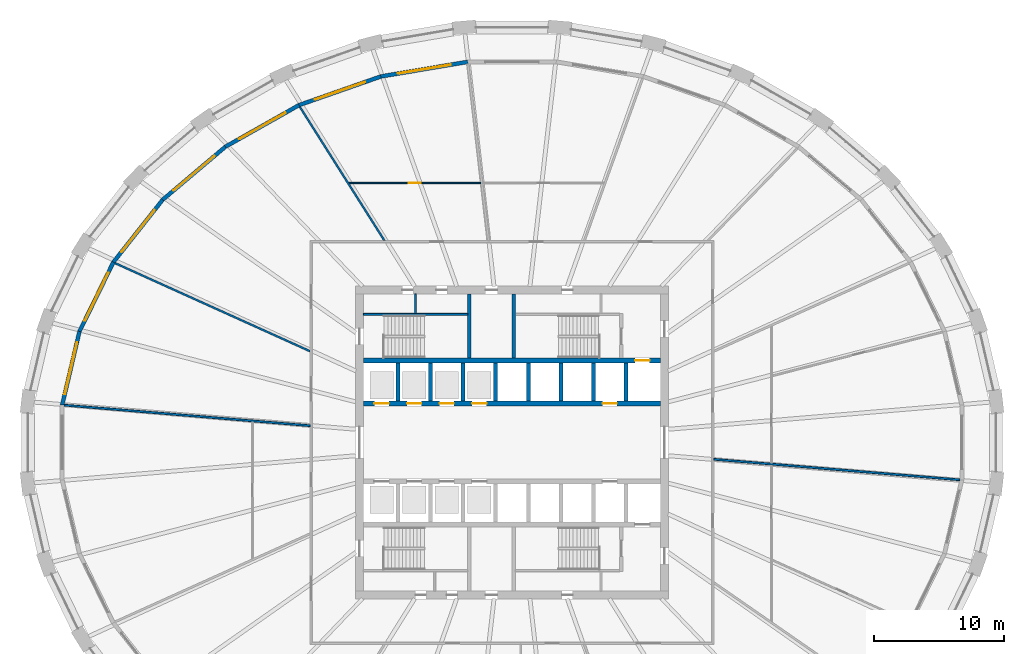
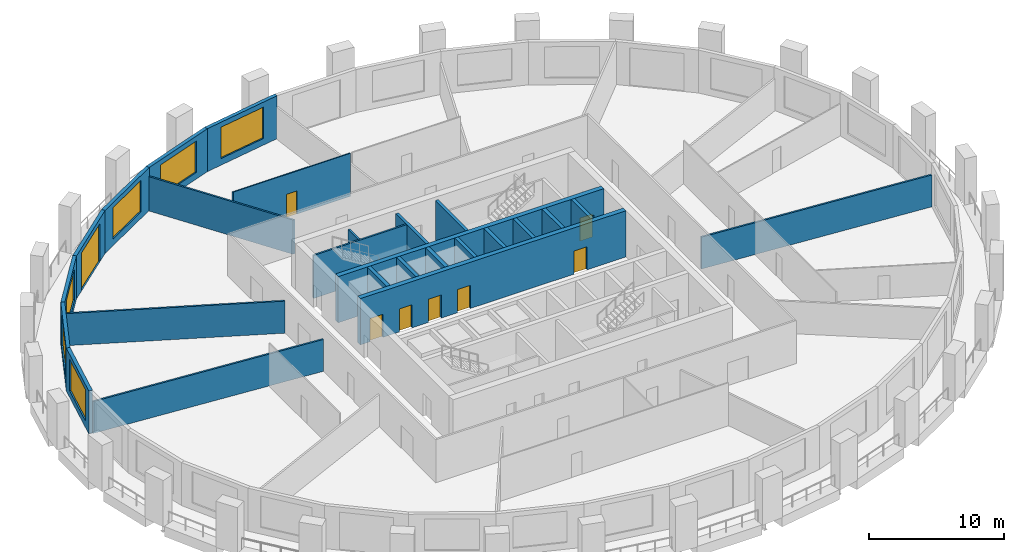
# One storey, part 5 of 10: 26 walls, 8 doors, 6 windows, 14 openings.
"""IFC4 building model written with IfcOpenShell, lengths in metres."""

from ifc_helpers import new_model, si_unit, direction, frame, frame_2d, origin, place, context, subcontext, project, spatial, polyline, rectangle, outline, extrude, material, layer, layer_set, type_object, element, fill, save


model = new_model("IFC4")

# Units and contexts
model_context = context("Model", 3, precision=1e-05, world=origin(), true_north=direction((0.0, 1.0)))
body_context = subcontext(model_context, "Body", "Model", "MODEL_VIEW")
ifc_project = project(units=[si_unit("LENGTHUNIT", "METRE"), si_unit("AREAUNIT", "SQUARE_METRE"), si_unit("VOLUMEUNIT", "CUBIC_METRE"), si_unit("PLANEANGLEUNIT", "RADIAN"), si_unit("MASSUNIT", "GRAM", prefix="KILO")], contexts=[model_context])

# Site, building, storey
site_placement = place(None, origin())
site = spatial("IfcSite", under=ifc_project, at=site_placement, CompositionType="ELEMENT")
building_placement = place(site_placement, origin())
building = spatial("IfcBuilding", under=site, at=building_placement, Name="Halqa Exchange Tower", CompositionType="ELEMENT")
storey_placement = place(building_placement, frame((0.0, 0.0, 52.89990234375)))
storey = spatial("IfcBuildingStorey", under=building, at=storey_placement, Name="L11", CompositionType="ELEMENT", Elevation=52.89990234375)

# Walls
ifc_material_1 = material(Name="Fire-rated gypsum board")
ifc_layer_1 = layer(ifc_material_1, 0.14990234375)
ifc_layer_set_1 = layer_set([ifc_layer_1], Name="Fire-rated gypsum board")
wall_type_1 = type_object("IfcWallType", Name="Fire partition EI 60 150", PredefinedType="PARTITIONING", material=ifc_layer_set_1)
wall_1_placement = place(storey_placement, frame((-34.343017578125, 2.864501953125, 0.0), z_axis=(0.0, 0.0, 1.0), x_axis=(0.996520554602, -0.083347371018, 0.0)))
element("IfcWall", 1, at=wall_1_placement, inside=storey, type_object=wall_type_1, Name="L11-PWL-001", PredefinedType="PARTITIONING", context=body_context, shape_type="SweptSolid", body=[
    extrude(outline(polyline([(0.0, -0.074951171875), (1.818115234375, -0.074951171875), (3.63623046875, -0.074951171875), (5.45458984375, -0.074951171875), (7.272705078125, -0.074951171875), (9.0908203125, -0.074951171875), (10.908935546875, -0.074951171875), (12.72705078125, -0.074951171875), (14.54541015625, -0.074951171875), (14.5498046875, -0.074462890625), (14.5498046875, -0.074951171875), (16.013427734375, -0.074951171875), (17.476806640625, -0.074951171875), (18.940185546875, -0.074951171875), (18.927734375, 0.074951171875), (17.035400390625, 0.074951171875), (15.143310546875, 0.074951171875), (13.2509765625, 0.074951171875), (11.35888671875, 0.074951171875), (9.466552734375, 0.074951171875), (7.574462890625, 0.074951171875), (5.68212890625, 0.074951171875), (3.7900390625, 0.074951171875), (1.897705078125, 0.074951171875), (0.005615234375, 0.074951171875), (0.0, 0.03759765625), (0.0, -0.074951171875)])), origin(), (0.0, 0.0, 1.0), 2.89208984375),
])
wall_2_placement = place(storey_placement, frame((-16.27294921875, 25.74169921875, 0.0), z_axis=(0.0, 0.0, 1.0), x_axis=(0.534654841392, -0.845070529942, 0.0)))
element("IfcWall", 2, at=wall_2_placement, inside=storey, type_object=wall_type_1, Name="L11-PWL-005", PredefinedType="PARTITIONING", context=body_context, shape_type="SweptSolid", body=[
    extrude(outline(polyline([(0.0, -0.074951171875), (1.728759765625, -0.074951171875), (3.45751953125, -0.074951171875), (5.186279296875, -0.074951171875), (6.9150390625, -0.074951171875), (8.64404296875, -0.074951171875), (10.372802734375, -0.074951171875), (12.1015625, -0.074951171875), (12.1962890625, 0.074951171875), (12.1962890625, 0.074951171875), (10.470703125, 0.074951171875), (8.744873046875, 0.074951171875), (7.019287109375, 0.074951171875), (7.017578125, 0.072265625), (7.01318359375, 0.074951171875), (5.26513671875, 0.074951171875), (3.516845703125, 0.074951171875), (1.768798828125, 0.074951171875), (0.020751953125, 0.074951171875), (0.003662109375, 0.00048828125), (0.0, -0.071044921875), (0.0, -0.074951171875)])), origin(), (0.0, 0.0, 1.0), 3.110107421875),
])
wall_3_placement = place(storey_placement, frame((-15.444091796875, 6.97998046875, 0.0), z_axis=(0.0, 0.0, 1.0), x_axis=(-0.911343853748, 0.411645940385, 0.0)))
element("IfcWall", 3, at=wall_3_placement, inside=storey, type_object=wall_type_1, Name="L11-PWL-008", PredefinedType="PARTITIONING", context=body_context, shape_type="SweptSolid", body=[
    extrude(outline(polyline([(0.06787109375, -0.074951171875), (1.88671875, -0.074951171875), (3.705810546875, -0.074951171875), (5.52490234375, -0.074951171875), (7.34375, -0.074951171875), (9.162841796875, -0.074951171875), (10.98193359375, -0.074951171875), (12.80078125, -0.074951171875), (14.619873046875, -0.074951171875), (16.43896484375, -0.074951171875), (16.45654296875, -0.003662109375), (16.458740234375, 0.064208984375), (16.458740234375, 0.074951171875), (14.6298828125, 0.074951171875), (12.80126953125, 0.074951171875), (10.972412109375, 0.074951171875), (9.143798828125, 0.074951171875), (7.31494140625, 0.074951171875), (5.486328125, 0.074951171875), (3.657470703125, 0.074951171875), (1.828857421875, 0.074951171875), (0.0, 0.074951171875), (0.06787109375, -0.074951171875)])), origin(), (0.0, 0.0, 1.0), 2.91015625),
])
wall_4_placement = place(storey_placement, frame((15.46875, -1.285888671875, 0.0), z_axis=(0.0, 0.0, 1.0), x_axis=(0.996520554602, -0.083347371018, 0.0)))
element("IfcWall", 4, at=wall_4_placement, inside=storey, type_object=wall_type_1, Name="L11-PWL-020", PredefinedType="PARTITIONING", context=body_context, shape_type="SweptSolid", body=[
    extrude(outline(polyline([(0.012451171875, -0.074951171875), (1.505859375, -0.074951171875), (2.9990234375, -0.074951171875), (4.4921875, -0.074951171875), (4.503173828125, -0.073974609375), (4.503173828125, -0.074951171875), (6.30712890625, -0.074951171875), (8.111083984375, -0.074951171875), (9.9150390625, -0.074951171875), (11.718994140625, -0.074951171875), (13.52294921875, -0.074951171875), (15.32666015625, -0.074951171875), (17.130615234375, -0.074951171875), (18.9345703125, -0.074951171875), (18.940185546875, -0.03759765625), (18.940185546875, 0.074951171875), (17.1220703125, 0.074951171875), (15.303955078125, 0.074951171875), (13.485595703125, 0.074951171875), (11.66748046875, 0.074951171875), (9.849365234375, 0.074951171875), (8.03125, 0.074951171875), (6.213134765625, 0.074951171875), (4.394775390625, 0.074951171875), (4.390380859375, 0.074462890625), (4.390380859375, 0.074951171875), (2.9267578125, 0.074951171875), (1.46337890625, 0.074951171875), (0.0, 0.074951171875), (0.012451171875, -0.074951171875)])), origin(), (0.0, 0.0, 1.0), 2.89208984375),
])

# Wall, opening, door
ifc_material_2 = material(Name="Gypsum board")
ifc_layer_2 = layer(ifc_material_2, 0.10009765625)
ifc_layer_set_2 = layer_set([ifc_layer_2], Name="Gypsum board")
wall_type_2 = type_object("IfcWallType", Name="Partition 100 gypsum", PredefinedType="PARTITIONING", material=ifc_layer_set_2)
wall_5_placement = place(storey_placement, frame((-12.51953125, 19.89990234375, 0.0), z_axis=(0.0, 0.0, 1.0), x_axis=(1.0, 0.0, 0.0)))
wall_5 = element("IfcWall", 5, at=wall_5_placement, inside=storey, type_object=wall_type_2, Name="L11-PWL-011", PredefinedType="PARTITIONING", context=body_context, shape_type="SweptSolid", body=[
    extrude(outline(polyline([(10.133544921875, -0.050048828125), (10.133544921875, -0.049072265625), (10.1220703125, 0.050048828125), (8.43505859375, 0.050048828125), (6.748046875, 0.050048828125), (5.06103515625, 0.050048828125), (3.3740234375, 0.050048828125), (1.68701171875, 0.050048828125), (0.0, 0.050048828125), (0.0, 0.049560546875), (0.06298828125, -0.050048828125), (1.741455078125, -0.050048828125), (3.419677734375, -0.050048828125), (5.09814453125, -0.050048828125), (6.776611328125, -0.050048828125), (8.455078125, -0.050048828125), (10.133544921875, -0.050048828125)])), origin(), (0.0, 0.0, 1.0), 3.900146484375),
])
opening_1_placement = place(wall_5_placement, frame((4.619384765625, 0.0, 0.0)))
opening_1 = element("IfcOpeningElement", 6, at=opening_1_placement, cuts=wall_5, Name="Opening 03-15", PredefinedType="OPENING", context=body_context, shape_type="SweptSolid", body=[
    extrude(rectangle(XDim=0.89990234375, YDim=2.10009765625, at=frame_2d((0.449951171875, 1.050048828125))), frame((0.0, 0.06201171875, 0.0), z_axis=(0.0, -1.0, 0.0), x_axis=(1.0, 0.0, 0.0)), (0.0, 0.0, 1.0), 0.1240234375),
])
ifc_material_3 = material(Name="Timber door leaf", Category="wood")
door_type_1 = type_object("IfcDoorType", Name="Door 900 x 2100", OperationType="SINGLE_SWING_LEFT", PredefinedType="DOOR", material=ifc_material_3)
door_1_placement = place(opening_1_placement, frame((0.89990234375, 0.0, 0.0), z_axis=(0.0, 0.0, 1.0), x_axis=(-1.0, 0.0, 0.0)))
door_1 = element("IfcDoor", 7, at=door_1_placement, inside=storey, type_object=door_type_1, Name="L11-IDR-015", OperationType="SINGLE_SWING_LEFT", OverallHeight=2.10009765625, OverallWidth=0.89990234375, PredefinedType="DOOR", context=body_context, shape_type="SweptSolid", body=[
    extrude(rectangle(XDim=0.89990234375, YDim=2.10009765625, at=frame_2d((0.449951171875, 1.050048828125))), frame((0.0, 0.02490234375, 0.0), z_axis=(0.0, -1.0, 0.0), x_axis=(1.0, 0.0, 0.0)), (0.0, 0.0, 1.0), 0.050048828125),
])
fill(opening_1, door_1)

# Walls
ifc_layer_3 = layer(ifc_material_2, 0.14990234375)
ifc_layer_set_3 = layer_set([ifc_layer_3], Name="Gypsum board")
wall_type_3 = type_object("IfcWallType", Name="Penthouse riser wall 150 gypsum", PredefinedType="PARTITIONING", material=ifc_layer_set_3)
wall_6_placement = place(storey_placement, frame((-7.39990234375, 9.89990234375, 0.0), z_axis=(0.0, 0.0, 1.0), x_axis=(0.0, 1.0, 0.0)))
element("IfcWall", 8, at=wall_6_placement, inside=storey, type_object=wall_type_3, Name="Partition W7.400 N", PredefinedType="PARTITIONING", context=body_context, shape_type="SweptSolid", body=[
    extrude(rectangle(XDim=1.5, YDim=0.14990234375, at=frame_2d((0.75, 0.0))), origin(), (0.0, 0.0, 1.0), 3.900146484375),
])
ifc_material_4 = material(Name="Concrete C60/75", Category="concrete")
ifc_layer_4 = layer(ifc_material_4, 0.300048828125)
ifc_layer_set_4 = layer_set([ifc_layer_4], Name="Concrete C60/75")
wall_type_4 = type_object("IfcWallType", Name="RC core wall 300", PredefinedType="SHEAR", material=ifc_layer_set_4)
for number, where, z_axis, x_axis, name in (
    (9, (-8.75, 3.199951171875, 0.0), (0.0, 0.0, 1.0), (0.0, 1.0, 0.0), "Shaft divider N1"),
    (10, (-6.25, 3.199951171875, 0.0), (0.0, 0.0, 1.0), (0.0, 1.0, 0.0), "Shaft divider N2"),
    (11, (-3.75, 3.199951171875, 0.0), (0.0, 0.0, 1.0), (0.0, 1.0, 0.0), "Shaft divider N3"),
    (12, (-1.25, 3.199951171875, 0.0), (0.0, 0.0, 1.0), (0.0, 1.0, 0.0), "Shaft divider N4"),
    (13, (1.25, 3.199951171875, 0.0), (0.0, 0.0, 1.0), (0.0, 1.0, 0.0), "Shaft divider N5"),
    (14, (3.75, 3.199951171875, 0.0), (0.0, 0.0, 1.0), (0.0, 1.0, 0.0), "Shaft divider N6"),
    (15, (6.25, 3.199951171875, 0.0), (0.0, 0.0, 1.0), (0.0, 1.0, 0.0), "Shaft divider N7"),
    (16, (8.75, 3.199951171875, 0.0), (0.0, 0.0, 1.0), (0.0, 1.0, 0.0), "Shaft divider N8"),
):
    element("IfcWall", number, at=place(storey_placement, frame(where, z_axis=z_axis, x_axis=x_axis)), inside=storey, type_object=wall_type_4, Name=name, PredefinedType="SHEAR", context=body_context, shape_type="SweptSolid", body=[
        extrude(rectangle(XDim=2.900146484375, YDim=0.300048828125, at=frame_2d((1.4501953125, 0.0))), origin(), (0.0, 0.0, 1.0), 4.2001953125),
    ])

# Wall, openings, doors
ifc_material_5 = material(Name="Concrete C80/95", Category="concrete")
ifc_layer_5 = layer(ifc_material_5, 0.39990234375)
ifc_layer_set_5 = layer_set([ifc_layer_5], Name="Concrete C80/95")
wall_type_5 = type_object("IfcWallType", Name="RC core wall 400 C80/95", PredefinedType="SHEAR", material=ifc_layer_set_5)
wall_7_placement = place(storey_placement, frame((-11.39990234375, 3.0, 0.0), z_axis=(0.0, 0.0, 1.0), x_axis=(1.0, 0.0, 0.0)))
wall_7 = element("IfcWall", 17, at=wall_7_placement, inside=storey, type_object=wall_type_5, Name="Lift row front wall N", PredefinedType="SHEAR", context=body_context, shape_type="SweptSolid", body=[
    extrude(rectangle(XDim=22.7998046875, YDim=0.39990234375, at=frame_2d((11.39990234375, 0.0))), origin(), (0.0, 0.0, 1.0), 4.2001953125),
])
opening_2_placement = place(wall_7_placement, frame((0.85009765625, 0.0, 0.0)))
opening_2 = element("IfcOpeningElement", 18, at=opening_2_placement, cuts=wall_7, Name="Opening LD-LR1-T03", PredefinedType="OPENING", context=body_context, shape_type="SweptSolid", body=[
    extrude(rectangle(XDim=1.10009765625, YDim=2.10009765625, at=frame_2d((0.550048828125, 1.050048828125))), frame((0.0, 0.2119140625, 0.0), z_axis=(0.0, -1.0, 0.0), x_axis=(1.0, 0.0, 0.0)), (0.0, 0.0, 1.0), 0.423828125),
])
opening_3_placement = place(wall_7_placement, frame((3.35009765625, 0.0, 0.0)))
opening_3 = element("IfcOpeningElement", 19, at=opening_3_placement, cuts=wall_7, Name="Opening LD-LR2-T03", PredefinedType="OPENING", context=body_context, shape_type="SweptSolid", body=[
    extrude(rectangle(XDim=1.10009765625, YDim=2.10009765625, at=frame_2d((0.550048828125, 1.050048828125))), frame((0.0, 0.2119140625, 0.0), z_axis=(0.0, -1.0, 0.0), x_axis=(1.0, 0.0, 0.0)), (0.0, 0.0, 1.0), 0.423828125),
])
opening_4_placement = place(wall_7_placement, frame((5.85009765625, 0.0, 0.0)))
opening_4 = element("IfcOpeningElement", 20, at=opening_4_placement, cuts=wall_7, Name="Opening LD-LR3-T03", PredefinedType="OPENING", context=body_context, shape_type="SweptSolid", body=[
    extrude(rectangle(XDim=1.10009765625, YDim=2.10009765625, at=frame_2d((0.550048828125, 1.050048828125))), frame((0.0, 0.2119140625, 0.0), z_axis=(0.0, -1.0, 0.0), x_axis=(1.0, 0.0, 0.0)), (0.0, 0.0, 1.0), 0.423828125),
])
opening_5_placement = place(wall_7_placement, frame((8.35009765625, 0.0, 0.0)))
opening_5 = element("IfcOpeningElement", 21, at=opening_5_placement, cuts=wall_7, Name="Opening LD-LR4-T03", PredefinedType="OPENING", context=body_context, shape_type="SweptSolid", body=[
    extrude(rectangle(XDim=1.10009765625, YDim=2.10009765625, at=frame_2d((0.550048828125, 1.050048828125))), frame((0.0, 0.2119140625, 0.0), z_axis=(0.0, -1.0, 0.0), x_axis=(1.0, 0.0, 0.0)), (0.0, 0.0, 1.0), 0.423828125),
])
opening_6_placement = place(wall_7_placement, frame((18.35009765625, 0.0, 0.0)))
opening_6 = element("IfcOpeningElement", 22, at=opening_6_placement, cuts=wall_7, Name="Opening LD-SV1-T03", PredefinedType="OPENING", context=body_context, shape_type="SweptSolid", body=[
    extrude(rectangle(XDim=1.10009765625, YDim=2.10009765625, at=frame_2d((0.550048828125, 1.050048828125))), frame((0.0, 0.2119140625, 0.0), z_axis=(0.0, -1.0, 0.0), x_axis=(1.0, 0.0, 0.0)), (0.0, 0.0, 1.0), 0.423828125),
])
ifc_material_6 = material(Name="Stainless steel", Category="steel")
door_type_2 = type_object("IfcDoorType", Name="Lift landing door 1100 x 2100", OperationType="SLIDING_TO_LEFT", PredefinedType="DOOR", material=ifc_material_6)
door_2_placement = place(opening_2_placement, origin())
door_2 = element("IfcDoor", 23, at=door_2_placement, inside=storey, type_object=door_type_2, Name="Lift landing door LR1", OperationType="SLIDING_TO_LEFT", OverallHeight=2.10009765625, OverallWidth=1.10009765625, PredefinedType="DOOR", context=body_context, shape_type="SweptSolid", body=[
    extrude(rectangle(XDim=1.10009765625, YDim=2.10009765625, at=frame_2d((0.550048828125, 1.050048828125))), frame((0.0, 0.02490234375, 0.0), z_axis=(0.0, -1.0, 0.0), x_axis=(1.0, 0.0, 0.0)), (0.0, 0.0, 1.0), 0.050048828125),
])
fill(opening_2, door_2)
door_3_placement = place(opening_3_placement, origin())
door_3 = element("IfcDoor", 24, at=door_3_placement, inside=storey, type_object=door_type_2, Name="Lift landing door LR2", OperationType="SLIDING_TO_LEFT", OverallHeight=2.10009765625, OverallWidth=1.10009765625, PredefinedType="DOOR", context=body_context, shape_type="SweptSolid", body=[
    extrude(rectangle(XDim=1.10009765625, YDim=2.10009765625, at=frame_2d((0.550048828125, 1.050048828125))), frame((0.0, 0.02490234375, 0.0), z_axis=(0.0, -1.0, 0.0), x_axis=(1.0, 0.0, 0.0)), (0.0, 0.0, 1.0), 0.050048828125),
])
fill(opening_3, door_3)
door_4_placement = place(opening_4_placement, origin())
door_4 = element("IfcDoor", 25, at=door_4_placement, inside=storey, type_object=door_type_2, Name="Lift landing door LR3", OperationType="SLIDING_TO_LEFT", OverallHeight=2.10009765625, OverallWidth=1.10009765625, PredefinedType="DOOR", context=body_context, shape_type="SweptSolid", body=[
    extrude(rectangle(XDim=1.10009765625, YDim=2.10009765625, at=frame_2d((0.550048828125, 1.050048828125))), frame((0.0, 0.02490234375, 0.0), z_axis=(0.0, -1.0, 0.0), x_axis=(1.0, 0.0, 0.0)), (0.0, 0.0, 1.0), 0.050048828125),
])
fill(opening_4, door_4)
door_5_placement = place(opening_5_placement, origin())
door_5 = element("IfcDoor", 26, at=door_5_placement, inside=storey, type_object=door_type_2, Name="Lift landing door LR4", OperationType="SLIDING_TO_LEFT", OverallHeight=2.10009765625, OverallWidth=1.10009765625, PredefinedType="DOOR", context=body_context, shape_type="SweptSolid", body=[
    extrude(rectangle(XDim=1.10009765625, YDim=2.10009765625, at=frame_2d((0.550048828125, 1.050048828125))), frame((0.0, 0.02490234375, 0.0), z_axis=(0.0, -1.0, 0.0), x_axis=(1.0, 0.0, 0.0)), (0.0, 0.0, 1.0), 0.050048828125),
])
fill(opening_5, door_5)
door_6_placement = place(opening_6_placement, origin())
door_6 = element("IfcDoor", 27, at=door_6_placement, inside=storey, type_object=door_type_2, Name="Lift landing door SV1", OperationType="SLIDING_TO_LEFT", OverallHeight=2.10009765625, OverallWidth=1.10009765625, PredefinedType="DOOR", context=body_context, shape_type="SweptSolid", body=[
    extrude(rectangle(XDim=1.10009765625, YDim=2.10009765625, at=frame_2d((0.550048828125, 1.050048828125))), frame((0.0, 0.02490234375, 0.0), z_axis=(0.0, -1.0, 0.0), x_axis=(1.0, 0.0, 0.0)), (0.0, 0.0, 1.0), 0.050048828125),
])
fill(opening_6, door_6)

# Wall, opening, door
wall_8_placement = place(storey_placement, frame((-11.39990234375, 6.300048828125, 0.0), z_axis=(0.0, 0.0, 1.0), x_axis=(1.0, 0.0, 0.0)))
wall_8 = element("IfcWall", 28, at=wall_8_placement, inside=storey, type_object=wall_type_5, Name="Lift row back wall N", PredefinedType="SHEAR", context=body_context, shape_type="SweptSolid", body=[
    extrude(rectangle(XDim=22.7998046875, YDim=0.39990234375, at=frame_2d((11.39990234375, 0.0))), origin(), (0.0, 0.0, 1.0), 4.2001953125),
])
opening_7_placement = place(wall_8_placement, frame((20.85009765625, 0.0, 0.0)))
opening_7 = element("IfcOpeningElement", 29, at=opening_7_placement, cuts=wall_8, Name="Opening LD-FF1-T03", PredefinedType="OPENING", context=body_context, shape_type="SweptSolid", body=[
    extrude(rectangle(XDim=1.10009765625, YDim=2.10009765625, at=frame_2d((0.550048828125, 1.050048828125))), frame((0.0, 0.2119140625, 0.0), z_axis=(0.0, -1.0, 0.0), x_axis=(1.0, 0.0, 0.0)), (0.0, 0.0, 1.0), 0.423828125),
])
door_7_placement = place(opening_7_placement, origin())
door_7 = element("IfcDoor", 30, at=door_7_placement, inside=storey, type_object=door_type_2, Name="Lift landing door FF1", OperationType="SLIDING_TO_LEFT", OverallHeight=2.10009765625, OverallWidth=1.10009765625, PredefinedType="DOOR", context=body_context, shape_type="SweptSolid", body=[
    extrude(rectangle(XDim=1.10009765625, YDim=2.10009765625, at=frame_2d((0.550048828125, 1.050048828125))), frame((0.0, 0.02490234375, 0.0), z_axis=(0.0, -1.0, 0.0), x_axis=(1.0, 0.0, 0.0)), (0.0, 0.0, 1.0), 0.050048828125),
])
fill(opening_7, door_7)

# Walls
ifc_material_7 = material(Name="Concrete C30/37", Category="concrete")
ifc_layer_6 = layer(ifc_material_7, 0.14990234375)
ifc_layer_set_6 = layer_set([ifc_layer_6], Name="Concrete C30/37")
wall_type_6 = type_object("IfcWallType", Name="RC stair wall 150 C30/37", PredefinedType="SHEAR", material=ifc_layer_set_6)
wall_9_placement = place(storey_placement, frame((-11.39990234375, 9.824951171875, 0.0), z_axis=(0.0, 0.0, 1.0), x_axis=(1.0, 0.0, 0.0)))
element("IfcWall", 31, at=wall_9_placement, inside=storey, type_object=wall_type_6, Name="Stair ST1 north wall N", PredefinedType="SHEAR", context=body_context, shape_type="SweptSolid", body=[
    extrude(rectangle(XDim=8.0, YDim=0.14990234375, at=frame_2d((4.0, 0.0))), origin(), (0.0, 0.0, 1.0), 3.900146484375),
])
ifc_layer_7 = layer(ifc_material_7, 0.25)
ifc_layer_set_7 = layer_set([ifc_layer_7], Name="Concrete C30/37")
wall_type_7 = type_object("IfcWallType", Name="RC stair wall 250 C30/37", PredefinedType="SHEAR", material=ifc_layer_set_7)
for number, where, z_axis, x_axis, name in (
    (32, (-3.27490234375, 6.5, 0.0), (0.0, 0.0, 1.0), (0.0, 1.0, 0.0), "Stair ST1 east wall N"),
    (33, (0.125, 6.5, 0.0), (0.0, 0.0, 1.0), (0.0, 1.0, 0.0), "Stair ST2 west wall N"),
):
    element("IfcWall", number, at=place(storey_placement, frame(where, z_axis=z_axis, x_axis=x_axis)), inside=storey, type_object=wall_type_7, Name=name, PredefinedType="SHEAR", context=body_context, shape_type="SweptSolid", body=[
        extrude(rectangle(XDim=4.89990234375, YDim=0.25, at=frame_2d((2.449951171875, 0.0))), origin(), (0.0, 0.0, 1.0), 3.900146484375),
    ])

# Wall, opening, window
ifc_material_8 = material(Name="Limestone cladding", Category="masonry")
ifc_layer_8 = layer(ifc_material_8, 0.0400390625)
ifc_material_9 = material(Name="Ventilated cavity")
ifc_layer_9 = layer(ifc_material_9, 0.030029296875, ventilated=True)
ifc_material_10 = material(Name="Mineral wool insulation")
ifc_layer_10 = layer(ifc_material_10, 0.10009765625)
ifc_layer_11 = layer(ifc_material_7, 0.10009765625)
ifc_material_11 = material(Name="Internal plaster")
ifc_layer_12 = layer(ifc_material_11, 0.030029296875)
ifc_layer_set_8 = layer_set([ifc_layer_8, ifc_layer_9, ifc_layer_10, ifc_layer_11, ifc_layer_12], Name="Stone-faced insulated wall 300")
wall_type_8 = type_object("IfcWallType", Name="Stone-faced insulated wall 300", PredefinedType="STANDARD", material=ifc_layer_set_8)
wall_10_placement = place(storey_placement, frame((-3.3955078125, 29.194580078125, 0.0), z_axis=(0.0, 0.0, 1.0), x_axis=(-0.986149614624, -0.165858185139, 0.0)))
wall_10 = element("IfcWall", 34, at=wall_10_placement, inside=storey, type_object=wall_type_8, Name="Glass-line wall 9", PredefinedType="STANDARD", context=body_context, shape_type="SweptSolid", body=[
    extrude(outline(polyline([(-0.012451171875, -0.14990234375), (6.767578125, -0.14990234375), (6.7421875, 0.14990234375), (0.012451171875, 0.14990234375), (-0.012451171875, -0.14990234375)])), origin(), (0.0, 0.0, 1.0), 3.900146484375),
])
opening_8_placement = place(wall_10_placement, frame((1.327392578125, 0.0, 0.60009765625)))
opening_8 = element("IfcOpeningElement", 35, at=opening_8_placement, cuts=wall_10, Name="Opening W-F1-09", PredefinedType="OPENING", context=body_context, shape_type="SweptSolid", body=[
    extrude(rectangle(XDim=4.10009765625, YDim=2.85009765625, at=frame_2d((2.050048828125, 1.425048828125))), frame((0.0, 0.162109375, 0.0), z_axis=(0.0, -1.0, 0.0), x_axis=(1.0, 0.0, 0.0)), (0.0, 0.0, 1.0), 0.323974609375),
])
ifc_material_12 = material(Name="Clear low-emissivity glass in aluminium frame", Category="aluminium")
window_type = type_object("IfcWindowType", Name="Fixed clear glazed window 4100 x 2850", PartitioningType="TRIPLE_PANEL_VERTICAL", PredefinedType="WINDOW", material=ifc_material_12)
window_1_placement = place(opening_8_placement, origin())
window_1 = element("IfcWindow", 36, at=window_1_placement, inside=storey, type_object=window_type, Name="Window 1", OverallHeight=2.85009765625, OverallWidth=4.10009765625, PartitioningType="TRIPLE_PANEL_VERTICAL", PredefinedType="WINDOW", context=body_context, shape_type="SweptSolid", body=[
    extrude(rectangle(XDim=4.10009765625, YDim=2.85009765625, at=frame_2d((2.050048828125, 1.425048828125))), frame((0.0, 0.030029296875, 0.0), z_axis=(0.0, -1.0, 0.0), x_axis=(1.0, 0.0, 0.0)), (0.0, 0.0, 1.0), 0.06005859375),
])
fill(opening_8, window_1)

wall_11_placement = place(storey_placement, frame((-10.056884765625, 28.07421875, 0.0), z_axis=(0.0, 0.0, 1.0), x_axis=(-0.943790794479, -0.330543395421, 0.0)))
wall_11 = element("IfcWall", 37, at=wall_11_placement, inside=storey, type_object=wall_type_8, Name="Glass-line wall 10", PredefinedType="STANDARD", context=body_context, shape_type="SweptSolid", body=[
    extrude(outline(polyline([(-0.0126953125, -0.14990234375), (6.6630859375, -0.14990234375), (6.63623046875, 0.14990234375), (0.0126953125, 0.14990234375), (-0.0126953125, -0.14990234375)])), origin(), (0.0, 0.0, 1.0), 3.900146484375),
])
opening_9_placement = place(wall_11_placement, frame((1.27490234375, 0.0, 0.60009765625)))
opening_9 = element("IfcOpeningElement", 38, at=opening_9_placement, cuts=wall_11, Name="Opening W-F1-10", PredefinedType="OPENING", context=body_context, shape_type="SweptSolid", body=[
    extrude(rectangle(XDim=4.10009765625, YDim=2.85009765625, at=frame_2d((2.050048828125, 1.425048828125))), frame((0.0, 0.162109375, 0.0), z_axis=(0.0, -1.0, 0.0), x_axis=(1.0, 0.0, 0.0)), (0.0, 0.0, 1.0), 0.323974609375),
])
window_2_placement = place(opening_9_placement, origin())
window_2 = element("IfcWindow", 39, at=window_2_placement, inside=storey, type_object=window_type, Name="Window 1", OverallHeight=2.85009765625, OverallWidth=4.10009765625, PartitioningType="TRIPLE_PANEL_VERTICAL", PredefinedType="WINDOW", context=body_context, shape_type="SweptSolid", body=[
    extrude(rectangle(XDim=4.10009765625, YDim=2.85009765625, at=frame_2d((2.050048828125, 1.425048828125))), frame((0.0, 0.030029296875, 0.0), z_axis=(0.0, -1.0, 0.0), x_axis=(1.0, 0.0, 0.0)), (0.0, 0.0, 1.0), 0.06005859375),
])
fill(opening_9, window_2)

wall_12_placement = place(storey_placement, frame((-16.332763671875, 25.876220703125, 0.0), z_axis=(0.0, 0.0, 1.0), x_axis=(-0.870647609977, -0.491907246584, 0.0)))
wall_12 = element("IfcWall", 40, at=wall_12_placement, inside=storey, type_object=wall_type_8, Name="Glass-line wall 11", PredefinedType="STANDARD", context=body_context, shape_type="SweptSolid", body=[
    extrude(outline(polyline([(-0.013427734375, -0.14990234375), (6.50341796875, -0.14990234375), (6.47509765625, 0.14990234375), (0.013427734375, 0.14990234375), (-0.013427734375, -0.14990234375)])), origin(), (0.0, 0.0, 1.0), 3.900146484375),
])
opening_10_placement = place(wall_12_placement, frame((1.194580078125, 0.0, 0.60009765625)))
opening_10 = element("IfcOpeningElement", 41, at=opening_10_placement, cuts=wall_12, Name="Opening W-F1-11", PredefinedType="OPENING", context=body_context, shape_type="SweptSolid", body=[
    extrude(rectangle(XDim=4.10009765625, YDim=2.85009765625, at=frame_2d((2.050048828125, 1.425048828125))), frame((0.0, 0.162109375, 0.0), z_axis=(0.0, -1.0, 0.0), x_axis=(1.0, 0.0, 0.0)), (0.0, 0.0, 1.0), 0.323974609375),
])
window_3_placement = place(opening_10_placement, origin())
window_3 = element("IfcWindow", 42, at=window_3_placement, inside=storey, type_object=window_type, Name="Window 1", OverallHeight=2.85009765625, OverallWidth=4.10009765625, PartitioningType="TRIPLE_PANEL_VERTICAL", PredefinedType="WINDOW", context=body_context, shape_type="SweptSolid", body=[
    extrude(rectangle(XDim=4.10009765625, YDim=2.85009765625, at=frame_2d((2.050048828125, 1.425048828125))), frame((0.0, 0.030029296875, 0.0), z_axis=(0.0, -1.0, 0.0), x_axis=(1.0, 0.0, 0.0)), (0.0, 0.0, 1.0), 0.06005859375),
])
fill(opening_10, window_3)

# Wall, opening, door
wall_13_placement = place(storey_placement, frame((-21.982666015625, 22.68408203125, 0.0), z_axis=(0.0, 0.0, 1.0), x_axis=(-0.763614259808, -0.645672720671, 0.0)))
wall_13 = element("IfcWall", 43, at=wall_13_placement, inside=storey, type_object=wall_type_8, Name="Glass-line wall 12", PredefinedType="STANDARD", context=body_context, shape_type="SweptSolid", body=[
    extrude(outline(polyline([(-0.01416015625, -0.14990234375), (6.31005859375, -0.14990234375), (6.27978515625, 0.14990234375), (0.01416015625, 0.14990234375), (-0.01416015625, -0.14990234375)])), origin(), (0.0, 0.0, 1.0), 3.900146484375),
])
opening_11_placement = place(wall_13_placement, frame((1.097412109375, 0.0, 0.0)))
opening_11 = element("IfcOpeningElement", 44, at=opening_11_placement, cuts=wall_13, Name="Opening LG-F1-03", PredefinedType="OPENING", context=body_context, shape_type="SweptSolid", body=[
    extrude(rectangle(XDim=4.10009765625, YDim=3.449951171875, at=frame_2d((2.050048828125, 1.72509765625))), frame((0.0, 0.162109375, 0.0), z_axis=(0.0, -1.0, 0.0), x_axis=(1.0, 0.0, 0.0)), (0.0, 0.0, 1.0), 0.323974609375),
])
door_type_3 = type_object("IfcDoorType", Name="Glazed sliding loggia door 4100 x 3450", OperationType="DOUBLE_DOOR_SLIDING", PredefinedType="DOOR", material=ifc_material_12)
door_8_placement = place(opening_11_placement, origin())
door_8 = element("IfcDoor", 45, at=door_8_placement, inside=storey, type_object=door_type_3, Name="Loggia door 3", OperationType="DOUBLE_DOOR_SLIDING", OverallHeight=3.449951171875, OverallWidth=4.10009765625, PredefinedType="DOOR", context=body_context, shape_type="SweptSolid", body=[
    extrude(rectangle(XDim=4.10009765625, YDim=3.449951171875, at=frame_2d((2.050048828125, 1.72509765625))), frame((0.0, 0.02490234375, 0.0), z_axis=(0.0, -1.0, 0.0), x_axis=(1.0, 0.0, 0.0)), (0.0, 0.0, 1.0), 0.050048828125),
])
fill(opening_11, door_8)

# Wall, opening, window
wall_14_placement = place(storey_placement, frame((-26.78955078125, 18.61962890625, 0.0), z_axis=(0.0, 0.0, 1.0), x_axis=(-0.619993638342, -0.78460683684, 0.0)))
wall_14 = element("IfcWall", 46, at=wall_14_placement, inside=storey, type_object=wall_type_8, Name="Glass-line wall 13", PredefinedType="STANDARD", context=body_context, shape_type="SweptSolid", body=[
    extrude(outline(polyline([(-0.01513671875, -0.14990234375), (6.1103515625, -0.14990234375), (6.078125, 0.14990234375), (0.01513671875, 0.14990234375), (-0.01513671875, -0.14990234375)])), origin(), (0.0, 0.0, 1.0), 3.900146484375),
])
opening_12_placement = place(wall_14_placement, frame((0.9970703125, 0.0, 0.60009765625)))
opening_12 = element("IfcOpeningElement", 47, at=opening_12_placement, cuts=wall_14, Name="Opening W-F1-13", PredefinedType="OPENING", context=body_context, shape_type="SweptSolid", body=[
    extrude(rectangle(XDim=4.10009765625, YDim=2.85009765625, at=frame_2d((2.050048828125, 1.425048828125))), frame((0.0, 0.162109375, 0.0), z_axis=(0.0, -1.0, 0.0), x_axis=(1.0, 0.0, 0.0)), (0.0, 0.0, 1.0), 0.323974609375),
])
window_4_placement = place(opening_12_placement, origin())
window_4 = element("IfcWindow", 48, at=window_4_placement, inside=storey, type_object=window_type, Name="Window 1", OverallHeight=2.85009765625, OverallWidth=4.10009765625, PartitioningType="TRIPLE_PANEL_VERTICAL", PredefinedType="WINDOW", context=body_context, shape_type="SweptSolid", body=[
    extrude(rectangle(XDim=4.10009765625, YDim=2.85009765625, at=frame_2d((2.050048828125, 1.425048828125))), frame((0.0, 0.030029296875, 0.0), z_axis=(0.0, -1.0, 0.0), x_axis=(1.0, 0.0, 0.0)), (0.0, 0.0, 1.0), 0.06005859375),
])
fill(opening_12, window_4)

wall_15_placement = place(storey_placement, frame((-30.56787109375, 13.838134765625, 0.0), z_axis=(0.0, 0.0, 1.0), x_axis=(-0.439906146647, -0.898043752911, 0.0)))
wall_15 = element("IfcWall", 49, at=wall_15_placement, inside=storey, type_object=wall_type_8, Name="Glass-line wall 14", PredefinedType="STANDARD", context=body_context, shape_type="SweptSolid", body=[
    extrude(outline(polyline([(-0.01611328125, -0.14990234375), (5.935791015625, -0.14990234375), (5.902099609375, 0.14990234375), (0.01611328125, 0.14990234375), (-0.01611328125, -0.14990234375)])), origin(), (0.0, 0.0, 1.0), 3.900146484375),
])
opening_13_placement = place(wall_15_placement, frame((0.909423828125, 0.0, 0.60009765625)))
opening_13 = element("IfcOpeningElement", 50, at=opening_13_placement, cuts=wall_15, Name="Opening W-F1-14", PredefinedType="OPENING", context=body_context, shape_type="SweptSolid", body=[
    extrude(rectangle(XDim=4.10009765625, YDim=2.85009765625, at=frame_2d((2.050048828125, 1.425048828125))), frame((0.0, 0.162109375, 0.0), z_axis=(0.0, -1.0, 0.0), x_axis=(1.0, 0.0, 0.0)), (0.0, 0.0, 1.0), 0.323974609375),
])
window_5_placement = place(opening_13_placement, origin())
window_5 = element("IfcWindow", 51, at=window_5_placement, inside=storey, type_object=window_type, Name="Window 1", OverallHeight=2.85009765625, OverallWidth=4.10009765625, PartitioningType="TRIPLE_PANEL_VERTICAL", PredefinedType="WINDOW", context=body_context, shape_type="SweptSolid", body=[
    extrude(rectangle(XDim=4.10009765625, YDim=2.85009765625, at=frame_2d((2.050048828125, 1.425048828125))), frame((0.0, 0.030029296875, 0.0), z_axis=(0.0, -1.0, 0.0), x_axis=(1.0, 0.0, 0.0)), (0.0, 0.0, 1.0), 0.06005859375),
])
fill(opening_13, window_5)

wall_16_placement = place(storey_placement, frame((-33.171630859375, 8.522705078125, 0.0), z_axis=(0.0, 0.0, 1.0), x_axis=(-0.228990053972, -0.973428762253, 0.0)))
wall_16 = element("IfcWall", 52, at=wall_16_placement, inside=storey, type_object=wall_type_8, Name="Glass-line wall 15", PredefinedType="STANDARD", context=body_context, shape_type="SweptSolid", body=[
    extrude(outline(polyline([(-0.016845703125, -0.14990234375), (5.816162109375, -0.14990234375), (5.781494140625, 0.14990234375), (0.016845703125, 0.14990234375), (-0.016845703125, -0.14990234375)])), origin(), (0.0, 0.0, 1.0), 3.900146484375),
])
opening_14_placement = place(wall_16_placement, frame((0.849365234375, 0.0, 0.60009765625)))
opening_14 = element("IfcOpeningElement", 53, at=opening_14_placement, cuts=wall_16, Name="Opening W-F1-15", PredefinedType="OPENING", context=body_context, shape_type="SweptSolid", body=[
    extrude(rectangle(XDim=4.10009765625, YDim=2.85009765625, at=frame_2d((2.050048828125, 1.425048828125))), frame((0.0, 0.162109375, 0.0), z_axis=(0.0, -1.0, 0.0), x_axis=(1.0, 0.0, 0.0)), (0.0, 0.0, 1.0), 0.323974609375),
])
window_6_placement = place(opening_14_placement, origin())
window_6 = element("IfcWindow", 54, at=window_6_placement, inside=storey, type_object=window_type, Name="Window 1", OverallHeight=2.85009765625, OverallWidth=4.10009765625, PartitioningType="TRIPLE_PANEL_VERTICAL", PredefinedType="WINDOW", context=body_context, shape_type="SweptSolid", body=[
    extrude(rectangle(XDim=4.10009765625, YDim=2.85009765625, at=frame_2d((2.050048828125, 1.425048828125))), frame((0.0, 0.030029296875, 0.0), z_axis=(0.0, -1.0, 0.0), x_axis=(1.0, 0.0, 0.0)), (0.0, 0.0, 1.0), 0.06005859375),
])
fill(opening_14, window_6)

save(model, "model.ifc")
